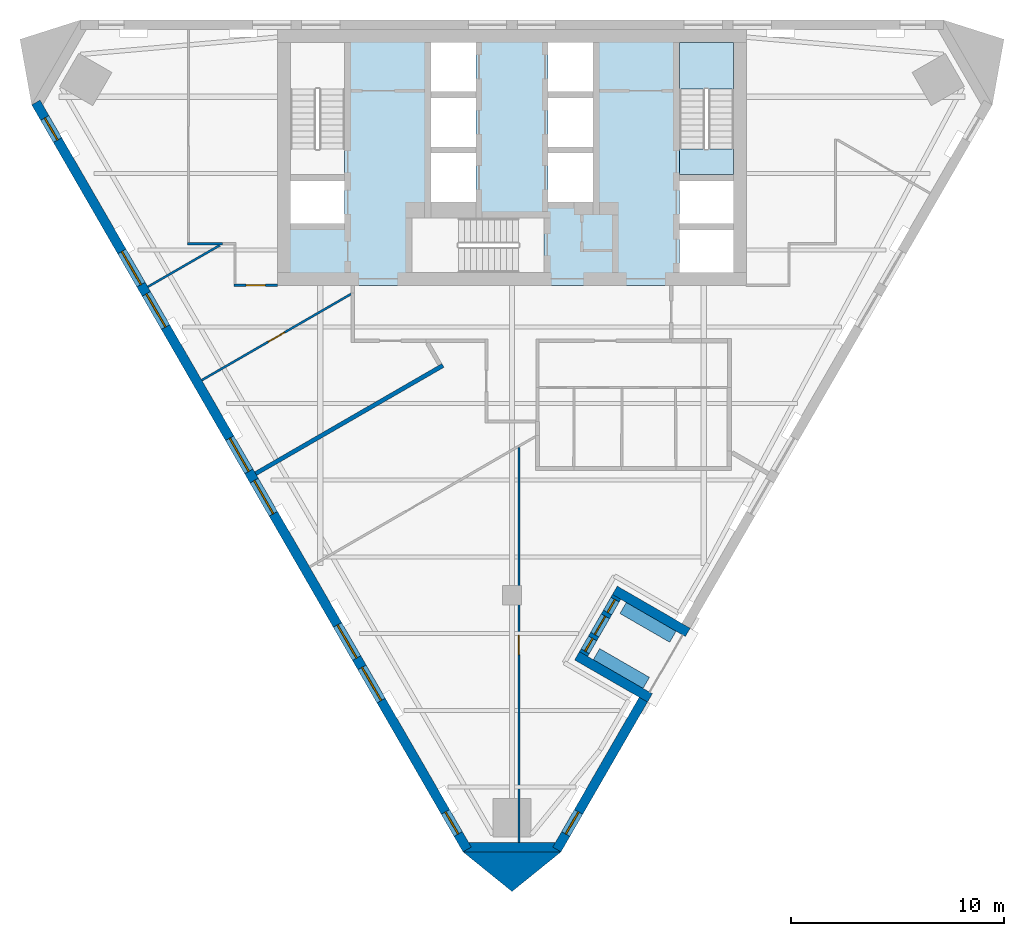
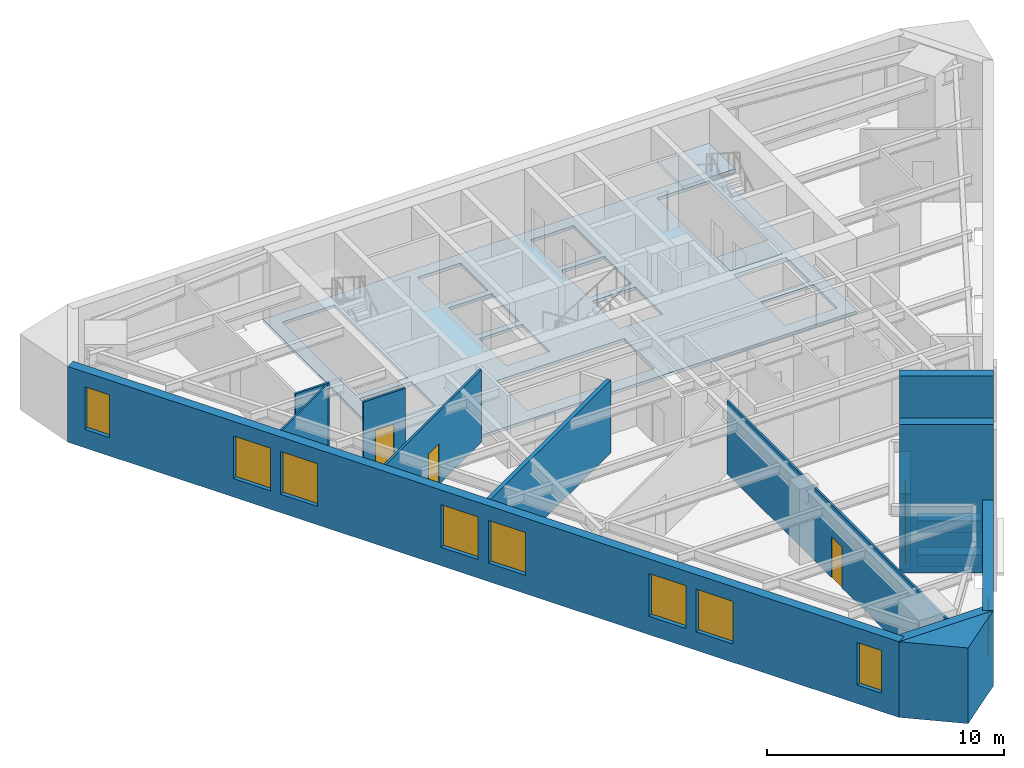
# One storey, part 2 of 7: 15 walls, 11 windows, 4 doors, 3 slabs, 15 openings, 1 element without a shape of its own.
"""IFC4 building model written with IfcOpenShell, lengths in metres."""

from ifc_helpers import new_model, si_unit, direction, frame, frame_2d, origin, place, context, subcontext, project, spatial, polyline, rectangle, outline, extrude, material, layer, layer_set, type_object, element, fill, aggregate, save


model = new_model("IFC4")

# Units and contexts
model_context = context("Model", 3, precision=1e-05, world=origin(), true_north=direction((0.0, 1.0)))
body_context = subcontext(model_context, "Body", "Model", "MODEL_VIEW")
ifc_project = project(units=[si_unit("LENGTHUNIT", "METRE"), si_unit("AREAUNIT", "SQUARE_METRE"), si_unit("VOLUMEUNIT", "CUBIC_METRE"), si_unit("PLANEANGLEUNIT", "RADIAN"), si_unit("MASSUNIT", "GRAM", prefix="KILO")], contexts=[model_context])

# Site, building, storey
site_placement = place(None, origin())
site = spatial("IfcSite", under=ifc_project, at=site_placement, CompositionType="ELEMENT")
building_placement = place(site_placement, origin())
building = spatial("IfcBuilding", under=site, at=building_placement, Name="Aloe Facet Convention Tower", CompositionType="ELEMENT")
storey_placement = place(building_placement, frame((0.0, 0.0, 163.699951171875)))
storey = spatial("IfcBuildingStorey", under=building, at=storey_placement, Name="L41", CompositionType="ELEMENT", Elevation=163.699951171875)

# Slabs
ifc_material_1 = material(Name="Concrete C60/75", Category="concrete")
ifc_layer_1 = layer(ifc_material_1, 0.14990234375)
ifc_layer_set_1 = layer_set([ifc_layer_1], Name="CR-S-FLOOR150-C6075")
slab_type_1 = type_object("IfcSlabType", Name="CR-S-FLOOR150-C6075", PredefinedType="FLOOR", material=ifc_layer_set_1)
slab_1_placement = place(storey_placement, frame((0.0, 0.0, -0.14990234375)))
element("IfcSlab", 1, at=slab_1_placement, inside=storey, type_object=slab_type_1, Name="Core floor L41", PredefinedType="FLOOR", context=body_context, shape_type="SweptSolid", body=[
    extrude(outline(polyline([(71.85009765625, 134.550048828125), (72.75, 134.550048828125), (75.60009765625, 134.550048828125), (76.5, 134.550048828125), (78.0, 134.550048828125), (78.89990234375, 134.550048828125), (81.10009765625, 134.550048828125), (82.0, 134.550048828125), (83.5, 134.550048828125), (84.39990234375, 134.550048828125), (87.25, 134.550048828125), (88.14990234375, 134.550048828125), (91.0, 134.550048828125), (91.0, 128.050048828125), (91.0, 127.14990234375), (91.0, 125.75), (91.0, 124.85009765625), (91.0, 122.550048828125), (88.14990234375, 122.550048828125), (87.25, 122.550048828125), (85.300048828125, 122.550048828125), (84.39990234375, 122.550048828125), (82.10009765625, 122.550048828125), (81.199951171875, 122.550048828125), (75.60009765625, 122.550048828125), (74.699951171875, 122.550048828125), (72.75, 122.550048828125), (71.85009765625, 122.550048828125), (69.0, 122.550048828125), (69.0, 124.85009765625), (69.0, 125.75), (69.0, 127.14990234375), (69.0, 128.050048828125), (69.0, 134.550048828125), (71.85009765625, 134.550048828125)]), holes=[polyline([(80.298828125, 123.14990234375), (81.5, 123.14990234375), (81.5, 125.699951171875), (80.298828125, 125.699951171875), (75.300048828125, 125.699951171875), (75.300048828125, 123.14990234375), (80.298828125, 123.14990234375)]), polyline([(69.60009765625, 125.449951171875), (72.14990234375, 125.449951171875), (72.14990234375, 127.449951171875), (69.60009765625, 127.449951171875), (69.60009765625, 125.449951171875)]), polyline([(76.199951171875, 126.449951171875), (78.300048828125, 126.449951171875), (78.300048828125, 128.75), (76.199951171875, 128.75), (76.199951171875, 126.449951171875)]), polyline([(78.300048828125, 129.050048828125), (78.300048828125, 131.35009765625), (76.199951171875, 131.35009765625), (76.199951171875, 129.050048828125), (78.300048828125, 129.050048828125)]), polyline([(69.60009765625, 133.949951171875), (69.60009765625, 128.951171875), (69.60009765625, 127.75), (72.14990234375, 127.75), (72.14990234375, 128.951171875), (72.14990234375, 133.949951171875), (69.60009765625, 133.949951171875)]), polyline([(76.199951171875, 131.64990234375), (78.300048828125, 131.64990234375), (78.300048828125, 133.949951171875), (76.199951171875, 133.949951171875), (76.199951171875, 131.64990234375)]), polyline([(90.39990234375, 123.14990234375), (90.39990234375, 125.14990234375), (87.85009765625, 125.14990234375), (87.85009765625, 123.14990234375), (90.39990234375, 123.14990234375)]), polyline([(87.85009765625, 125.449951171875), (90.39990234375, 125.449951171875), (90.39990234375, 127.449951171875), (87.85009765625, 127.449951171875), (87.85009765625, 125.449951171875)]), polyline([(81.699951171875, 126.449951171875), (83.800048828125, 126.449951171875), (83.800048828125, 128.75), (81.699951171875, 128.75), (81.699951171875, 126.449951171875)]), polyline([(83.800048828125, 129.050048828125), (83.800048828125, 131.35009765625), (81.699951171875, 131.35009765625), (81.699951171875, 129.050048828125), (83.800048828125, 129.050048828125)]), polyline([(87.85009765625, 133.949951171875), (87.85009765625, 128.951171875), (87.85009765625, 127.75), (90.39990234375, 127.75), (90.39990234375, 128.951171875), (90.39990234375, 133.949951171875), (87.85009765625, 133.949951171875)]), polyline([(81.699951171875, 131.64990234375), (83.800048828125, 131.64990234375), (83.800048828125, 133.949951171875), (81.699951171875, 133.949951171875), (81.699951171875, 131.64990234375)])]), origin(), (0.0, 0.0, 1.0), 0.14990234375),
])
ifc_material_2 = material(Name="Concrete C60/75", Category="concrete")
ifc_layer_2 = layer(ifc_material_2, 0.300048828125)
ifc_layer_set_2 = layer_set([ifc_layer_2], Name="CR-S-FLOOR300-C6075")
slab_type_2 = type_object("IfcSlabType", Name="CR-S-FLOOR300-C6075", PredefinedType="FLOOR", material=ifc_layer_set_2)
slab_2_placement = place(storey_placement, frame((0.0, 0.0, -0.300048828125)))
element("IfcSlab", 2, at=slab_2_placement, inside=storey, type_object=slab_type_2, Name="Stair landing floor L41", PredefinedType="FLOOR", context=body_context, shape_type="SweptSolid", body=[
    extrude(outline(polyline([(90.39990234375, 127.75), (90.39990234375, 128.951171875), (87.85009765625, 128.951171875), (87.85009765625, 127.75), (90.39990234375, 127.75)])), origin(), (0.0, 0.0, 1.0), 0.300048828125),
])

# Stair, slab
ifc_material_3 = material(Name="Concrete C50/60", Category="concrete")
stair_type = type_object("IfcStairType", Name="CR-ST-22R", PredefinedType="HALF_TURN_STAIR", material=ifc_material_3)
stair_placement = place(storey_placement, origin())
stair = element("IfcStair", 3, at=stair_placement, inside=storey, type_object=stair_type, Name="L41 Protected exit stair ST2", PredefinedType="HALF_TURN_STAIR")
ifc_material_4 = material(Name="Concrete C50/60", Category="concrete")
ifc_layer_3 = layer(ifc_material_4, 0.199951171875)
ifc_layer_set_3 = layer_set([ifc_layer_3], Name="CR-SL-LANDING")
slab_type_3 = type_object("IfcSlabType", Name="CR-SL-LANDING", PredefinedType="LANDING", material=ifc_layer_set_3)
slab_3_placement = place(storey_placement, frame((0.0, 0.0, 1.75)))
slab_3 = element("IfcSlab", 4, at=slab_3_placement, type_object=slab_type_3, Name="ST2 landing 1", PredefinedType="LANDING", context=body_context, shape_type="SweptSolid", body=[
    extrude(outline(polyline([(90.39990234375, 131.75), (90.39990234375, 133.949951171875), (87.85009765625, 133.949951171875), (87.85009765625, 131.75), (90.39990234375, 131.75)])), origin(), (0.0, 0.0, 1.0), 0.199951171875),
])
aggregate(stair, [slab_3])

# Walls
ifc_material_5 = material(Name="Precast concrete C40/50", Category="concrete")
ifc_layer_4 = layer(ifc_material_5, 0.60009765625)
ifc_layer_set_4 = layer_set([ifc_layer_4], Name="EV-PLANTER")
wall_type_1 = type_object("IfcWallType", Name="EV-PLANTER", PredefinedType="STANDARD", material=ifc_layer_set_4)
for number, where, z_axis, x_axis, name in (
    (5, (86.302734375, 103.88720703125, 0.0), (0.0, 0.0, 1.0), (-0.86599734893, 0.500048589285, 0.0), "PLANTER T09-1"),
    (6, (87.552734375, 106.05224609375, 0.0), (0.0, 0.0, 1.0), (-0.86599734893, 0.500048589285, 0.0), "PLANTER T09-2"),
):
    element("IfcWall", number, at=place(storey_placement, frame(where, z_axis=z_axis, x_axis=x_axis)), inside=storey, type_object=wall_type_1, Name=name, PredefinedType="STANDARD", context=body_context, shape_type="SweptSolid", body=[
        extrude(rectangle(XDim=2.699951171875, YDim=0.60009765625, at=frame_2d((1.35009765625, 0.0))), origin(), (0.0, 0.0, 1.0), 0.60009765625),
    ])
ifc_material_6 = material(Name="Precast concrete C40/50", Category="concrete")
ifc_layer_5 = layer(ifc_material_6, 0.449951171875)
ifc_layer_set_5 = layer_set([ifc_layer_5], Name="EV-WALL-PIER")
wall_type_2 = type_object("IfcWallType", Name="EV-WALL-PIER", PredefinedType="SOLIDWALL", material=ifc_layer_set_5)
wall_1_placement = place(storey_placement, frame((0.0, 0.0, -0.14990234375)))
element("IfcWall", 7, at=wall_1_placement, inside=storey, type_object=wall_type_2, Name="EP-L41-B", PredefinedType="SOLIDWALL", context=body_context, shape_type="SweptSolid", body=[
    extrude(outline(polyline([(77.699951171875, 95.954345703125), (78.089599609375, 96.17919921875), (77.959716796875, 96.404296875), (82.040283203125, 96.404296875), (81.910400390625, 96.17919921875), (82.300048828125, 95.954345703125), (77.699951171875, 95.954345703125)])), origin(), (0.0, 0.0, 1.0), 3.89990234375),
])
ifc_material_7 = material(Name="Precast concrete C40/50", Category="concrete")
ifc_layer_6 = layer(ifc_material_7, 3.947998046875)
ifc_layer_set_6 = layer_set([ifc_layer_6], Name="EV-WALL-SPINE")
wall_type_3 = type_object("IfcWallType", Name="EV-WALL-SPINE", PredefinedType="SOLIDWALL", material=ifc_layer_set_6)
wall_2_placement = place(storey_placement, frame((0.0, 0.0, -0.14990234375)))
element("IfcWall", 8, at=wall_2_placement, inside=storey, type_object=wall_type_3, Name="SP-S-L41", PredefinedType="SOLIDWALL", context=body_context, shape_type="SweptSolid", body=[
    extrude(outline(polyline([(77.699951171875, 95.954345703125), (80.0, 94.095458984375), (82.300048828125, 95.954345703125), (77.699951171875, 95.954345703125)])), origin(), (0.0, 0.0, 1.0), 3.89990234375),
])

# Wall, openings, windows
ifc_material_8 = material(Name="Precast concrete C40/50", Category="concrete")
ifc_layer_7 = layer(ifc_material_8, 0.449951171875)
ifc_layer_set_7 = layer_set([ifc_layer_7], Name="EV-WALL-STONE")
wall_type_4 = type_object("IfcWallType", Name="EV-WALL-STONE", PredefinedType="SOLIDWALL", material=ifc_layer_set_7)
wall_3_placement = place(storey_placement, frame((57.65185546875, 131.128662109375, -0.14990234375), z_axis=(0.0, 0.0, 1.0), x_axis=(0.499997369791, -0.866026922331, 0.0)))
wall_3 = element("IfcWall", 9, at=wall_3_placement, inside=storey, type_object=wall_type_4, Name="EW-L41-W01", PredefinedType="SOLIDWALL", context=body_context, shape_type="SweptSolid", body=[
    extrude(outline(polyline([(40.486083984375, 0.0), (40.486083984375, 3.89990234375), (0.0, 3.89990234375), (0.0, 0.0), (40.486083984375, 0.0)])), frame((0.0, 0.22509765625, 0.0), z_axis=(0.0, -1.0, 0.0), x_axis=(1.0, 0.0, 0.0)), (0.0, 0.0, 1.0), 0.449951171875),
])
opening_1_placement = place(wall_3_placement, frame((0.83740234375, 0.0, 0.949951171875)))
opening_1 = element("IfcOpeningElement", 10, at=opening_1_placement, cuts=wall_3, Name="Opening W-L41-W01", PredefinedType="OPENING", context=body_context, shape_type="SweptSolid", body=[
    extrude(rectangle(XDim=1.199951171875, YDim=2.199951171875, at=frame_2d((0.60009765625, 1.10009765625))), frame((0.0, 0.23486328125, 0.0), z_axis=(0.0, -1.0, 0.0), x_axis=(1.0, 0.0, 0.0)), (0.0, 0.0, 1.0), 0.469970703125),
])
opening_2_placement = place(wall_3_placement, frame((8.071533203125, 0.0, 0.949951171875)))
opening_2 = element("IfcOpeningElement", 11, at=opening_2_placement, cuts=wall_3, Name="Opening W-L41-W02", PredefinedType="OPENING", context=body_context, shape_type="SweptSolid", body=[
    extrude(rectangle(XDim=1.800048828125, YDim=2.199951171875, at=frame_2d((0.89990234375, 1.10009765625))), frame((0.0, 0.23486328125, 0.0), z_axis=(0.0, -1.0, 0.0), x_axis=(1.0, 0.0, 0.0)), (0.0, 0.0, 1.0), 0.469970703125),
])
opening_3_placement = place(wall_3_placement, frame((10.37158203125, 0.0, 0.949951171875)))
opening_3 = element("IfcOpeningElement", 12, at=opening_3_placement, cuts=wall_3, Name="Opening W-L41-W03", PredefinedType="OPENING", context=body_context, shape_type="SweptSolid", body=[
    extrude(rectangle(XDim=1.800048828125, YDim=2.199951171875, at=frame_2d((0.89990234375, 1.10009765625))), frame((0.0, 0.23486328125, 0.0), z_axis=(0.0, -1.0, 0.0), x_axis=(1.0, 0.0, 0.0)), (0.0, 0.0, 1.0), 0.469970703125),
])
opening_4_placement = place(wall_3_placement, frame((18.193115234375, 0.0, 0.949951171875)))
opening_4 = element("IfcOpeningElement", 13, at=opening_4_placement, cuts=wall_3, Name="Opening W-L41-W04", PredefinedType="OPENING", context=body_context, shape_type="SweptSolid", body=[
    extrude(rectangle(XDim=1.800048828125, YDim=2.199951171875, at=frame_2d((0.89990234375, 1.10009765625))), frame((0.0, 0.23486328125, 0.0), z_axis=(0.0, -1.0, 0.0), x_axis=(1.0, 0.0, 0.0)), (0.0, 0.0, 1.0), 0.469970703125),
])
opening_5_placement = place(wall_3_placement, frame((20.4931640625, 0.0, 0.949951171875)))
opening_5 = element("IfcOpeningElement", 14, at=opening_5_placement, cuts=wall_3, Name="Opening W-L41-W05", PredefinedType="OPENING", context=body_context, shape_type="SweptSolid", body=[
    extrude(rectangle(XDim=1.800048828125, YDim=2.199951171875, at=frame_2d((0.89990234375, 1.10009765625))), frame((0.0, 0.23486328125, 0.0), z_axis=(0.0, -1.0, 0.0), x_axis=(1.0, 0.0, 0.0)), (0.0, 0.0, 1.0), 0.469970703125),
])
opening_6_placement = place(wall_3_placement, frame((28.314697265625, 0.0, 0.949951171875)))
opening_6 = element("IfcOpeningElement", 15, at=opening_6_placement, cuts=wall_3, Name="Opening W-L41-W06", PredefinedType="OPENING", context=body_context, shape_type="SweptSolid", body=[
    extrude(rectangle(XDim=1.800048828125, YDim=2.199951171875, at=frame_2d((0.89990234375, 1.10009765625))), frame((0.0, 0.23486328125, 0.0), z_axis=(0.0, -1.0, 0.0), x_axis=(1.0, 0.0, 0.0)), (0.0, 0.0, 1.0), 0.469970703125),
])
opening_7_placement = place(wall_3_placement, frame((30.614501953125, 0.0, 0.949951171875)))
opening_7 = element("IfcOpeningElement", 16, at=opening_7_placement, cuts=wall_3, Name="Opening W-L41-W07", PredefinedType="OPENING", context=body_context, shape_type="SweptSolid", body=[
    extrude(rectangle(XDim=1.800048828125, YDim=2.199951171875, at=frame_2d((0.89990234375, 1.10009765625))), frame((0.0, 0.23486328125, 0.0), z_axis=(0.0, -1.0, 0.0), x_axis=(1.0, 0.0, 0.0)), (0.0, 0.0, 1.0), 0.469970703125),
])
opening_8_placement = place(wall_3_placement, frame((38.44873046875, 0.0, 0.949951171875)))
opening_8 = element("IfcOpeningElement", 17, at=opening_8_placement, cuts=wall_3, Name="Opening W-L41-W08", PredefinedType="OPENING", context=body_context, shape_type="SweptSolid", body=[
    extrude(rectangle(XDim=1.199951171875, YDim=2.199951171875, at=frame_2d((0.60009765625, 1.10009765625))), frame((0.0, 0.23486328125, 0.0), z_axis=(0.0, -1.0, 0.0), x_axis=(1.0, 0.0, 0.0)), (0.0, 0.0, 1.0), 0.469970703125),
])
ifc_material_9 = material(Name="Aluminium frame, clear double glazing", Category="aluminium")
window_type_1 = type_object("IfcWindowType", Name="EV-WIN-O12", PartitioningType="SINGLE_PANEL", PredefinedType="WINDOW", material=ifc_material_9)
window_1_placement = place(opening_1_placement, origin())
window_1 = element("IfcWindow", 18, at=window_1_placement, inside=storey, type_object=window_type_1, Name="W-L41-W01", OverallHeight=2.199951171875, OverallWidth=1.199951171875, PartitioningType="SINGLE_PANEL", PredefinedType="WINDOW", context=body_context, shape_type="SweptSolid", body=[
    extrude(rectangle(XDim=1.199951171875, YDim=2.199951171875, at=frame_2d((0.60009765625, 1.10009765625))), frame((0.0, 0.030029296875, 0.0), z_axis=(0.0, -1.0, 0.0), x_axis=(1.0, 0.0, 0.0)), (0.0, 0.0, 1.0), 0.06005859375),
])
fill(opening_1, window_1)
window_2_placement = place(opening_8_placement, origin())
window_2 = element("IfcWindow", 19, at=window_2_placement, inside=storey, type_object=window_type_1, Name="W-L41-W08", OverallHeight=2.199951171875, OverallWidth=1.199951171875, PartitioningType="SINGLE_PANEL", PredefinedType="WINDOW", context=body_context, shape_type="SweptSolid", body=[
    extrude(rectangle(XDim=1.199951171875, YDim=2.199951171875, at=frame_2d((0.60009765625, 1.10009765625))), frame((0.0, 0.030029296875, 0.0), z_axis=(0.0, -1.0, 0.0), x_axis=(1.0, 0.0, 0.0)), (0.0, 0.0, 1.0), 0.06005859375),
])
fill(opening_8, window_2)
ifc_material_10 = material(Name="Aluminium frame, clear double glazing", Category="aluminium")
window_type_2 = type_object("IfcWindowType", Name="EV-WIN-O18", PartitioningType="SINGLE_PANEL", PredefinedType="WINDOW", material=ifc_material_10)
window_3_placement = place(opening_2_placement, origin())
window_3 = element("IfcWindow", 20, at=window_3_placement, inside=storey, type_object=window_type_2, Name="W-L41-W02", OverallHeight=2.199951171875, OverallWidth=1.800048828125, PartitioningType="SINGLE_PANEL", PredefinedType="WINDOW", context=body_context, shape_type="SweptSolid", body=[
    extrude(rectangle(XDim=1.800048828125, YDim=2.199951171875, at=frame_2d((0.89990234375, 1.10009765625))), frame((0.0, 0.030029296875, 0.0), z_axis=(0.0, -1.0, 0.0), x_axis=(1.0, 0.0, 0.0)), (0.0, 0.0, 1.0), 0.06005859375),
])
fill(opening_2, window_3)
window_4_placement = place(opening_3_placement, origin())
window_4 = element("IfcWindow", 21, at=window_4_placement, inside=storey, type_object=window_type_2, Name="W-L41-W03", OverallHeight=2.199951171875, OverallWidth=1.800048828125, PartitioningType="SINGLE_PANEL", PredefinedType="WINDOW", context=body_context, shape_type="SweptSolid", body=[
    extrude(rectangle(XDim=1.800048828125, YDim=2.199951171875, at=frame_2d((0.89990234375, 1.10009765625))), frame((0.0, 0.030029296875, 0.0), z_axis=(0.0, -1.0, 0.0), x_axis=(1.0, 0.0, 0.0)), (0.0, 0.0, 1.0), 0.06005859375),
])
fill(opening_3, window_4)
window_5_placement = place(opening_4_placement, origin())
window_5 = element("IfcWindow", 22, at=window_5_placement, inside=storey, type_object=window_type_2, Name="W-L41-W04", OverallHeight=2.199951171875, OverallWidth=1.800048828125, PartitioningType="SINGLE_PANEL", PredefinedType="WINDOW", context=body_context, shape_type="SweptSolid", body=[
    extrude(rectangle(XDim=1.800048828125, YDim=2.199951171875, at=frame_2d((0.89990234375, 1.10009765625))), frame((0.0, 0.030029296875, 0.0), z_axis=(0.0, -1.0, 0.0), x_axis=(1.0, 0.0, 0.0)), (0.0, 0.0, 1.0), 0.06005859375),
])
fill(opening_4, window_5)
window_6_placement = place(opening_5_placement, origin())
window_6 = element("IfcWindow", 23, at=window_6_placement, inside=storey, type_object=window_type_2, Name="W-L41-W05", OverallHeight=2.199951171875, OverallWidth=1.800048828125, PartitioningType="SINGLE_PANEL", PredefinedType="WINDOW", context=body_context, shape_type="SweptSolid", body=[
    extrude(rectangle(XDim=1.800048828125, YDim=2.199951171875, at=frame_2d((0.89990234375, 1.10009765625))), frame((0.0, 0.030029296875, 0.0), z_axis=(0.0, -1.0, 0.0), x_axis=(1.0, 0.0, 0.0)), (0.0, 0.0, 1.0), 0.06005859375),
])
fill(opening_5, window_6)
window_7_placement = place(opening_6_placement, origin())
window_7 = element("IfcWindow", 24, at=window_7_placement, inside=storey, type_object=window_type_2, Name="W-L41-W06", OverallHeight=2.199951171875, OverallWidth=1.800048828125, PartitioningType="SINGLE_PANEL", PredefinedType="WINDOW", context=body_context, shape_type="SweptSolid", body=[
    extrude(rectangle(XDim=1.800048828125, YDim=2.199951171875, at=frame_2d((0.89990234375, 1.10009765625))), frame((0.0, 0.030029296875, 0.0), z_axis=(0.0, -1.0, 0.0), x_axis=(1.0, 0.0, 0.0)), (0.0, 0.0, 1.0), 0.06005859375),
])
fill(opening_6, window_7)
window_8_placement = place(opening_7_placement, origin())
window_8 = element("IfcWindow", 25, at=window_8_placement, inside=storey, type_object=window_type_2, Name="W-L41-W07", OverallHeight=2.199951171875, OverallWidth=1.800048828125, PartitioningType="SINGLE_PANEL", PredefinedType="WINDOW", context=body_context, shape_type="SweptSolid", body=[
    extrude(rectangle(XDim=1.800048828125, YDim=2.199951171875, at=frame_2d((0.89990234375, 1.10009765625))), frame((0.0, 0.030029296875, 0.0), z_axis=(0.0, -1.0, 0.0), x_axis=(1.0, 0.0, 0.0)), (0.0, 0.0, 1.0), 0.06005859375),
])
fill(opening_7, window_8)

# Wall, opening, window
wall_4_placement = place(storey_placement, frame((82.105224609375, 96.066650390625, -0.14990234375), z_axis=(0.0, 0.0, 1.0), x_axis=(0.500002617434, 0.866023892603, 0.0)))
wall_4 = element("IfcWall", 26, at=wall_4_placement, inside=storey, type_object=wall_type_4, Name="EW-L41-E01", PredefinedType="SOLIDWALL", context=body_context, shape_type="SweptSolid", body=[
    extrude(outline(polyline([(0.0, 0.0), (0.0, 3.89990234375), (8.12158203125, 3.89990234375), (8.12158203125, 0.0), (0.0, 0.0)])), frame((0.0, 0.22509765625, 0.0), z_axis=(0.0, -1.0, 0.0), x_axis=(1.0, 0.0, 0.0)), (0.0, 0.0, 1.0), 0.449951171875),
])
opening_9_placement = place(wall_4_placement, frame((0.83740234375, 0.0, 0.949951171875)))
opening_9 = element("IfcOpeningElement", 27, at=opening_9_placement, cuts=wall_4, Name="Opening W-L41-E01", PredefinedType="OPENING", context=body_context, shape_type="SweptSolid", body=[
    extrude(rectangle(XDim=1.199951171875, YDim=2.199951171875, at=frame_2d((0.60009765625, 1.10009765625))), frame((0.0, 0.23486328125, 0.0), z_axis=(0.0, -1.0, 0.0), x_axis=(1.0, 0.0, 0.0)), (0.0, 0.0, 1.0), 0.469970703125),
])
window_9_placement = place(opening_9_placement, origin())
window_9 = element("IfcWindow", 28, at=window_9_placement, inside=storey, type_object=window_type_1, Name="W-L41-E01", OverallHeight=2.199951171875, OverallWidth=1.199951171875, PartitioningType="SINGLE_PANEL", PredefinedType="WINDOW", context=body_context, shape_type="SweptSolid", body=[
    extrude(rectangle(XDim=1.199951171875, YDim=2.199951171875, at=frame_2d((0.60009765625, 1.10009765625))), frame((0.0, 0.030029296875, 0.0), z_axis=(0.0, -1.0, 0.0), x_axis=(1.0, 0.0, 0.0)), (0.0, 0.0, 1.0), 0.06005859375),
])
fill(opening_9, window_9)

# Walls
wall_5_placement = place(storey_placement, frame((86.473388671875, 103.1826171875, 0.0), z_axis=(0.0, 0.0, 1.0), x_axis=(-0.866047669374, 0.499961432884, 0.0)))
element("IfcWall", 29, at=wall_5_placement, inside=storey, type_object=wall_type_4, Name="TW-T09-1", PredefinedType="SOLIDWALL", context=body_context, shape_type="SweptSolid", body=[
    extrude(rectangle(XDim=3.949951171875, YDim=0.449951171875, at=frame_2d((1.97509765625, 0.0))), origin(), (0.0, 0.0, 1.0), 7.650146484375),
])
wall_6_placement = place(storey_placement, frame((88.248291015625, 106.2568359375, 0.0), z_axis=(0.0, 0.0, 1.0), x_axis=(-0.866020906874, 0.500007788796, 0.0)))
element("IfcWall", 30, at=wall_6_placement, inside=storey, type_object=wall_type_4, Name="TW-T09-2", PredefinedType="SOLIDWALL", context=body_context, shape_type="SweptSolid", body=[
    extrude(rectangle(XDim=3.9501953125, YDim=0.449951171875, at=frame_2d((1.97509765625, 0.0))), origin(), (0.0, 0.0, 1.0), 7.650146484375),
])

# Wall, openings, door, windows
wall_7_placement = place(storey_placement, frame((83.35986328125, 105.239990234375, -0.14990234375), z_axis=(0.0, 0.0, 1.0), x_axis=(0.500026960575, 0.86600983753, 0.0)))
wall_7 = element("IfcWall", 31, at=wall_7_placement, inside=storey, type_object=wall_type_4, Name="TB-T09-L41", PredefinedType="SOLIDWALL", context=body_context, shape_type="SweptSolid", body=[
    extrude(rectangle(XDim=3.099853515625, YDim=0.449951171875, at=frame_2d((1.5498046875, 0.0))), origin(), (0.0, 0.0, 1.0), 3.89990234375),
])
opening_10_placement = place(wall_7_placement, frame((1.050048828125, 0.0, 0.14990234375)))
opening_10 = element("IfcOpeningElement", 32, at=opening_10_placement, cuts=wall_7, Name="Opening D-T09", PredefinedType="OPENING", context=body_context, shape_type="SweptSolid", body=[
    extrude(rectangle(XDim=1.0, YDim=2.39990234375, at=frame_2d((0.5, 1.199951171875))), frame((0.0, 0.23486328125, 0.0), z_axis=(0.0, -1.0, 0.0), x_axis=(1.0, 0.0, 0.0)), (0.0, 0.0, 1.0), 0.469970703125),
])
opening_11_placement = place(wall_7_placement, frame((0.14990234375, 0.0, 0.14990234375)))
opening_11 = element("IfcOpeningElement", 33, at=opening_11_placement, cuts=wall_7, Name="Opening G-T09-1", PredefinedType="OPENING", context=body_context, shape_type="SweptSolid", body=[
    extrude(rectangle(XDim=0.699951171875, YDim=2.39990234375, at=frame_2d((0.35009765625, 1.199951171875))), frame((0.0, 0.23486328125, 0.0), z_axis=(0.0, -1.0, 0.0), x_axis=(1.0, 0.0, 0.0)), (0.0, 0.0, 1.0), 0.469970703125),
])
opening_12_placement = place(wall_7_placement, frame((2.25, 0.0, 0.14990234375)))
opening_12 = element("IfcOpeningElement", 34, at=opening_12_placement, cuts=wall_7, Name="Opening G-T09-2", PredefinedType="OPENING", context=body_context, shape_type="SweptSolid", body=[
    extrude(rectangle(XDim=0.699951171875, YDim=2.39990234375, at=frame_2d((0.35009765625, 1.199951171875))), frame((0.0, 0.23486328125, 0.0), z_axis=(0.0, -1.0, 0.0), x_axis=(1.0, 0.0, 0.0)), (0.0, 0.0, 1.0), 0.469970703125),
])
ifc_material_11 = material(Name="Aluminium frame, clear double glazing", Category="aluminium")
door_type_1 = type_object("IfcDoorType", Name="EV-DOOR-TERR", OperationType="SINGLE_SWING_LEFT", PredefinedType="DOOR", material=ifc_material_11)
door_1_placement = place(opening_10_placement, origin())
door_1 = element("IfcDoor", 35, at=door_1_placement, inside=storey, type_object=door_type_1, Name="D-T09", OperationType="SINGLE_SWING_LEFT", OverallHeight=2.39990234375, OverallWidth=1.0, PredefinedType="DOOR", context=body_context, shape_type="SweptSolid", body=[
    extrude(rectangle(XDim=1.0, YDim=2.39990234375, at=frame_2d((0.5, 1.199951171875))), frame((0.0, 0.02490234375, 0.0), z_axis=(0.0, -1.0, 0.0), x_axis=(1.0, 0.0, 0.0)), (0.0, 0.0, 1.0), 0.050048828125),
])
fill(opening_10, door_1)
ifc_material_12 = material(Name="Aluminium frame, clear double glazing", Category="aluminium")
window_type_3 = type_object("IfcWindowType", Name="EV-WIN-SL70", PartitioningType="SINGLE_PANEL", PredefinedType="WINDOW", material=ifc_material_12)
window_10_placement = place(opening_11_placement, origin())
window_10 = element("IfcWindow", 36, at=window_10_placement, inside=storey, type_object=window_type_3, Name="G-T09-1", OverallHeight=2.39990234375, OverallWidth=0.699951171875, PartitioningType="SINGLE_PANEL", PredefinedType="WINDOW", context=body_context, shape_type="SweptSolid", body=[
    extrude(rectangle(XDim=0.699951171875, YDim=2.39990234375, at=frame_2d((0.35009765625, 1.199951171875))), frame((0.0, 0.030029296875, 0.0), z_axis=(0.0, -1.0, 0.0), x_axis=(1.0, 0.0, 0.0)), (0.0, 0.0, 1.0), 0.06005859375),
])
fill(opening_11, window_10)
window_11_placement = place(opening_12_placement, origin())
window_11 = element("IfcWindow", 37, at=window_11_placement, inside=storey, type_object=window_type_3, Name="G-T09-2", OverallHeight=2.39990234375, OverallWidth=0.699951171875, PartitioningType="SINGLE_PANEL", PredefinedType="WINDOW", context=body_context, shape_type="SweptSolid", body=[
    extrude(rectangle(XDim=0.699951171875, YDim=2.39990234375, at=frame_2d((0.35009765625, 1.199951171875))), frame((0.0, 0.030029296875, 0.0), z_axis=(0.0, -1.0, 0.0), x_axis=(1.0, 0.0, 0.0)), (0.0, 0.0, 1.0), 0.06005859375),
])
fill(opening_12, window_11)

# Wall, opening, door
ifc_material_13 = material(Name="Gypsum board partition on steel studs", Category="steel")
ifc_layer_8 = layer(ifc_material_13, 0.10009765625)
ifc_layer_set_8 = layer_set([ifc_layer_8], Name="IN-W-PART")
wall_type_5 = type_object("IfcWallType", Name="IN-W-PART", PredefinedType="PARTITIONING", material=ifc_layer_set_8)
wall_8_placement = place(storey_placement, frame((80.323974609375, 96.404296875, 0.0), z_axis=(0.0, 0.0, 1.0), x_axis=(0.0, 1.0, 0.0)))
wall_8 = element("IfcWall", 38, at=wall_8_placement, inside=storey, type_object=wall_type_5, Name="Partition L41-W010", PredefinedType="PARTITIONING", context=body_context, shape_type="SweptSolid", body=[
    extrude(rectangle(XDim=18.52587890625, YDim=0.10009765625, at=frame_2d((9.262939453125, 0.0))), origin(), (0.0, 0.0, 1.0), 3.75),
])
opening_13_placement = place(wall_8_placement, frame((8.81298828125, 0.0, 0.0)))
opening_13 = element("IfcOpeningElement", 39, at=opening_13_placement, cuts=wall_8, Name="Opening L41-013", PredefinedType="OPENING", context=body_context, shape_type="SweptSolid", body=[
    extrude(rectangle(XDim=0.89990234375, YDim=2.10009765625, at=frame_2d((0.449951171875, 1.050048828125))), frame((0.0, 0.06005859375, 0.0), z_axis=(0.0, -1.0, 0.0), x_axis=(1.0, 0.0, 0.0)), (0.0, 0.0, 1.0), 0.1201171875),
])
ifc_material_14 = material(Name="Timber door", Category="wood")
door_type_2 = type_object("IfcDoorType", Name="IN-OFF-D-ROOM", OperationType="SINGLE_SWING_LEFT", PredefinedType="DOOR", material=ifc_material_14)
door_2_placement = place(opening_13_placement, origin())
door_2 = element("IfcDoor", 40, at=door_2_placement, inside=storey, type_object=door_type_2, Name="Door L41-013", OperationType="SINGLE_SWING_LEFT", OverallHeight=2.10009765625, OverallWidth=0.89990234375, PredefinedType="DOOR", context=body_context, shape_type="SweptSolid", body=[
    extrude(rectangle(XDim=0.89990234375, YDim=2.10009765625, at=frame_2d((0.449951171875, 1.050048828125))), frame((0.0, 0.02490234375, 0.0), z_axis=(0.0, -1.0, 0.0), x_axis=(1.0, 0.0, 0.0)), (0.0, 0.0, 1.0), 0.050048828125),
])
fill(opening_13, door_2)

wall_9_placement = place(storey_placement, frame((65.437744140625, 118.093017578125, 0.0), z_axis=(0.0, 0.0, 1.0), x_axis=(0.866029768103, 0.499992440702, 0.0)))
wall_9 = element("IfcWall", 41, at=wall_9_placement, inside=storey, type_object=wall_type_5, Name="Partition L41-W025", PredefinedType="PARTITIONING", context=body_context, shape_type="SweptSolid", body=[
    extrude(rectangle(XDim=8.088623046875, YDim=0.10009765625, at=frame_2d((4.04443359375, 0.0))), origin(), (0.0, 0.0, 1.0), 3.75),
])
opening_14_placement = place(wall_9_placement, frame((3.59423828125, 0.0, 0.0)))
opening_14 = element("IfcOpeningElement", 42, at=opening_14_placement, cuts=wall_9, Name="Opening L41-009", PredefinedType="OPENING", context=body_context, shape_type="SweptSolid", body=[
    extrude(rectangle(XDim=0.89990234375, YDim=2.10009765625, at=frame_2d((0.449951171875, 1.050048828125))), frame((0.0, 0.06005859375, 0.0), z_axis=(0.0, -1.0, 0.0), x_axis=(1.0, 0.0, 0.0)), (0.0, 0.0, 1.0), 0.1201171875),
])
door_3_placement = place(opening_14_placement, origin())
door_3 = element("IfcDoor", 43, at=door_3_placement, inside=storey, type_object=door_type_2, Name="Door L41-009", OperationType="SINGLE_SWING_LEFT", OverallHeight=2.10009765625, OverallWidth=0.89990234375, PredefinedType="DOOR", context=body_context, shape_type="SweptSolid", body=[
    extrude(rectangle(XDim=0.89990234375, YDim=2.10009765625, at=frame_2d((0.449951171875, 1.050048828125))), frame((0.0, 0.02490234375, 0.0), z_axis=(0.0, -1.0, 0.0), x_axis=(1.0, 0.0, 0.0)), (0.0, 0.0, 1.0), 0.050048828125),
])
fill(opening_14, door_3)

# Wall
wall_10_placement = place(storey_placement, frame((62.907470703125, 122.475830078125, 0.0), z_axis=(0.0, 0.0, 1.0), x_axis=(0.866014543207, 0.500018810599, 0.0)))
element("IfcWall", 44, at=wall_10_placement, inside=storey, type_object=wall_type_5, Name="Partition L41-W035", PredefinedType="PARTITIONING", context=body_context, shape_type="SweptSolid", body=[
    extrude(rectangle(XDim=3.898193359375, YDim=0.10009765625, at=frame_2d((1.94921875, 0.0))), origin(), (0.0, 0.0, 1.0), 3.75),
])

# Wall, opening, door
wall_11_placement = place(storey_placement, frame((66.949951171875, 122.550048828125, 0.0), z_axis=(0.0, 0.0, 1.0), x_axis=(1.0, 0.0, 0.0)))
wall_11 = element("IfcWall", 45, at=wall_11_placement, inside=storey, type_object=wall_type_5, Name="Partition L41-W036", PredefinedType="PARTITIONING", context=body_context, shape_type="SweptSolid", body=[
    extrude(rectangle(XDim=2.050048828125, YDim=0.10009765625, at=frame_2d((1.02490234375, 0.0))), origin(), (0.0, 0.0, 1.0), 3.75),
])
opening_15_placement = place(wall_11_placement, frame((0.574951171875, 0.0, 0.0)))
opening_15 = element("IfcOpeningElement", 46, at=opening_15_placement, cuts=wall_11, Name="Opening L41-007", PredefinedType="OPENING", context=body_context, shape_type="SweptSolid", body=[
    extrude(rectangle(XDim=0.89990234375, YDim=2.10009765625, at=frame_2d((0.449951171875, 1.050048828125))), frame((0.0, 0.06005859375, 0.0), z_axis=(0.0, -1.0, 0.0), x_axis=(1.0, 0.0, 0.0)), (0.0, 0.0, 1.0), 0.1201171875),
])
door_4_placement = place(opening_15_placement, origin())
door_4 = element("IfcDoor", 47, at=door_4_placement, inside=storey, type_object=door_type_2, Name="Door L41-007", OperationType="SINGLE_SWING_LEFT", OverallHeight=2.10009765625, OverallWidth=0.89990234375, PredefinedType="DOOR", context=body_context, shape_type="SweptSolid", body=[
    extrude(rectangle(XDim=0.89990234375, YDim=2.10009765625, at=frame_2d((0.449951171875, 1.050048828125))), frame((0.0, 0.02490234375, 0.0), z_axis=(0.0, -1.0, 0.0), x_axis=(1.0, 0.0, 0.0)), (0.0, 0.0, 1.0), 0.050048828125),
])
fill(opening_15, door_4)

# Walls
wall_12_placement = place(storey_placement, frame((64.763427734375, 124.5, 0.0), z_axis=(0.0, 0.0, 1.0), x_axis=(1.0, 0.0, 0.0)))
element("IfcWall", 48, at=wall_12_placement, inside=storey, type_object=wall_type_5, Name="Partition L41-W040", PredefinedType="PARTITIONING", context=body_context, shape_type="SweptSolid", body=[
    extrude(rectangle(XDim=1.650146484375, YDim=0.10009765625, at=frame_2d((0.8251953125, 0.0))), origin(), (0.0, 0.0, 1.0), 3.75),
])
ifc_material_15 = material(Name="Gypsum board partition on steel studs", Category="steel")
ifc_layer_9 = layer(ifc_material_15, 0.199951171875)
ifc_layer_set_9 = layer_set([ifc_layer_9], Name="IN-W-PARTY")
wall_type_6 = type_object("IfcWallType", Name="IN-W-PARTY", PredefinedType="PARTITIONING", material=ifc_layer_set_9)
wall_13_placement = place(storey_placement, frame((67.96826171875, 113.710205078125, 0.0), z_axis=(0.0, 0.0, 1.0), x_axis=(0.866024129094, 0.500002207822, 0.0)))
element("IfcWall", 49, at=wall_13_placement, inside=storey, type_object=wall_type_6, Name="Partition L41-W002", PredefinedType="PARTITIONING", context=body_context, shape_type="SweptSolid", body=[
    extrude(rectangle(XDim=10.14794921875, YDim=0.199951171875, at=frame_2d((5.073974609375, 0.0))), origin(), (0.0, 0.0, 1.0), 3.75),
])

save(model, "model.ifc")
